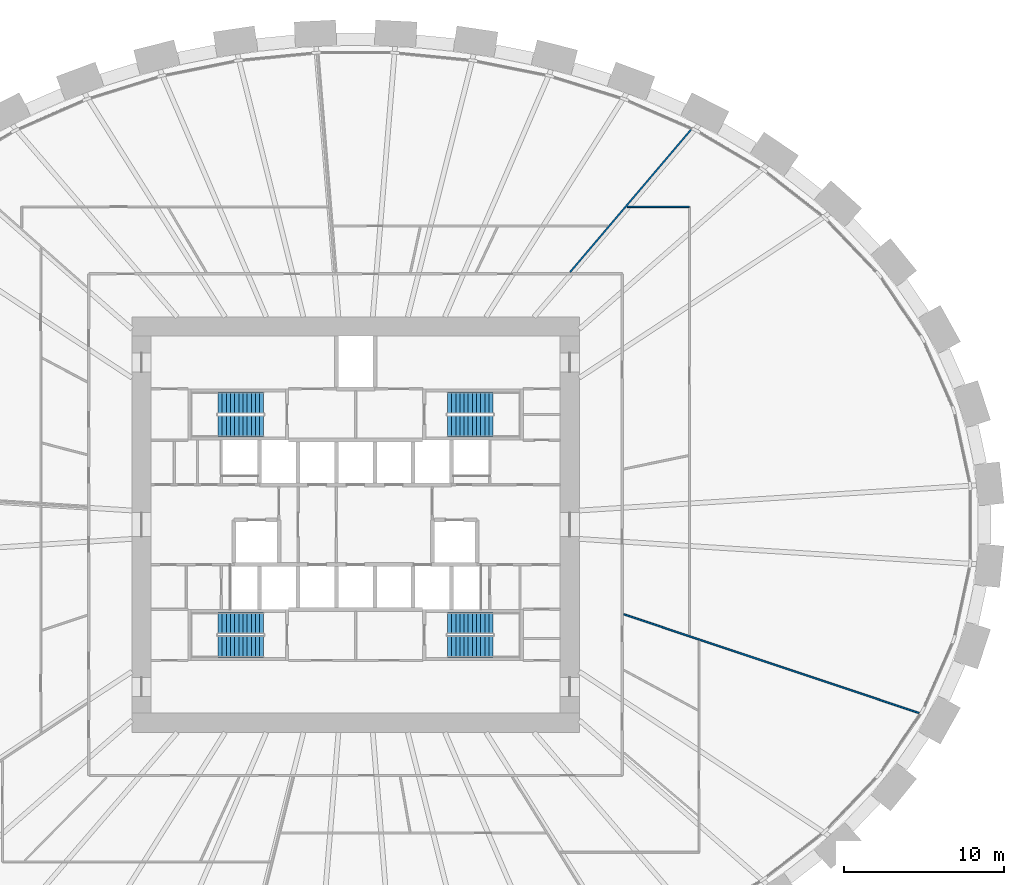
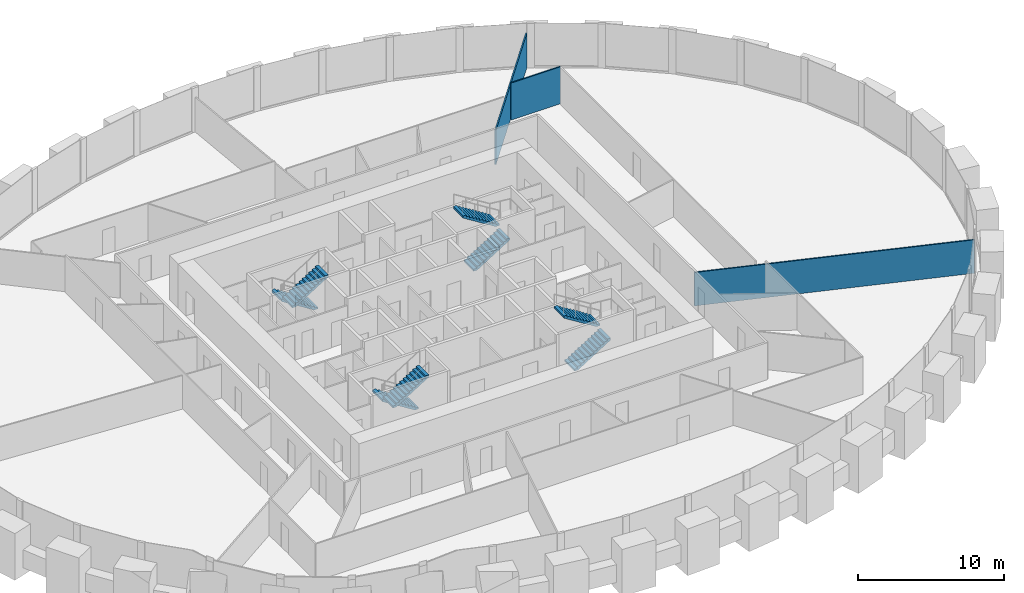
# One storey, part 10 of 11: 8 stair flights, 3 walls, 4 elements without a shape of their own.
"""IFC4 building model written with IfcOpenShell, lengths in metres."""

from ifc_helpers import new_model, si_unit, direction, frame, frame_2d, origin, place, context, subcontext, project, spatial, polyline, rectangle, outline, extrude, source, transform, mapped, material, layer, layer_set, type_object, element, aggregate, save


model = new_model("IFC4")

# Units and contexts
model_context = context("Model", 3, precision=1e-05, world=origin(), true_north=direction((0.0, 1.0)))
body_context = subcontext(model_context, "Body", "Model", "MODEL_VIEW")
ifc_project = project(units=[si_unit("LENGTHUNIT", "METRE"), si_unit("AREAUNIT", "SQUARE_METRE"), si_unit("VOLUMEUNIT", "CUBIC_METRE"), si_unit("PLANEANGLEUNIT", "RADIAN"), si_unit("MASSUNIT", "GRAM", prefix="KILO")], contexts=[model_context])

# Site, building, storey
site_placement = place(None, origin())
site = spatial("IfcSite", under=ifc_project, at=site_placement, CompositionType="ELEMENT")
building_placement = place(site_placement, origin())
building = spatial("IfcBuilding", under=site, at=building_placement, Name="Embergate Tower", CompositionType="ELEMENT")
storey_placement = place(building_placement, frame((0.0, 0.0, 41.89990234375)))
storey = spatial("IfcBuildingStorey", under=building, at=storey_placement, Name="L06", CompositionType="ELEMENT", Elevation=41.89990234375)

# Walls
ifc_material_1 = material(Name="Partition dry-lined 100")
ifc_layer_1 = layer(ifc_material_1, 0.10009765625)
ifc_layer_set_1 = layer_set([ifc_layer_1], Name="Partition dry-lined 100")
wall_type_1 = type_object("IfcWallType", Name="Partition dry-lined 100", PredefinedType="PARTITIONING", material=ifc_layer_set_1)
shared_shape_1 = source(origin(), body_context, "Body", "SweptSolid", [
    extrude(rectangle(XDim=3.89599609375, YDim=0.10009765625, at=frame_2d((1.947998046875, 0.0))), origin(), (0.0, 0.0, 1.0), 3.10009765625),
])
wall_1_placement = place(storey_placement, frame((17.00390625, 19.89990234375, 0.0), z_axis=(0.0, 0.0, 1.0), x_axis=(1.0, 0.0, 0.0)))
element("IfcWall", 1, at=wall_1_placement, inside=storey, type_object=wall_type_1, Name="IP-1 wall", PredefinedType="PARTITIONING", context=body_context, shape_type="MappedRepresentation", body=[
    mapped(shared_shape_1, transform((0.0, 0.0, 0.0))),
])
shared_shape_2 = source(origin(), body_context, "Body", "SweptSolid", [
    extrude(rectangle(XDim=19.5888671875, YDim=0.10009765625, at=frame_2d((9.79443359375, 0.0))), origin(), (0.0, 0.0, 1.0), 2.800048828125),
])
wall_2_placement = place(storey_placement, frame((35.3701171875, -11.818115234375, 0.0), z_axis=(0.0, 0.0, 1.0), x_axis=(-0.9484537247, 0.316915654556, 0.0)))
element("IfcWall", 2, at=wall_2_placement, inside=storey, type_object=wall_type_1, Name="IP-1 wall", PredefinedType="PARTITIONING", context=body_context, shape_type="MappedRepresentation", body=[
    mapped(shared_shape_2, transform((0.0, 0.0, 0.0))),
])
ifc_material_2 = material(Name="Partition dry-lined 100 wet")
ifc_layer_2 = layer(ifc_material_2, 0.10009765625)
ifc_layer_set_2 = layer_set([ifc_layer_2], Name="Partition dry-lined 100 wet")
wall_type_2 = type_object("IfcWallType", Name="Partition dry-lined 100 wet", PredefinedType="PLUMBINGWALL", material=ifc_layer_set_2)
shared_shape_3 = source(origin(), body_context, "Body", "SweptSolid", [
    extrude(rectangle(XDim=11.78857421875, YDim=0.10009765625, at=frame_2d((5.894287109375, 0.0))), origin(), (0.0, 0.0, 1.0), 2.900146484375),
])
wall_3_placement = place(storey_placement, frame((21.051025390625, 24.79296875, 0.0), z_axis=(0.0, 0.0, 1.0), x_axis=(-0.647252165833, -0.762275956478, 0.0)))
element("IfcWall", 3, at=wall_3_placement, inside=storey, type_object=wall_type_2, Name="IP-1 wall", PredefinedType="PLUMBINGWALL", context=body_context, shape_type="MappedRepresentation", body=[
    mapped(shared_shape_3, transform((0.0, 0.0, 0.0))),
])

# Stair, stair flights
ifc_material_3 = material(Name="Exit stair")
stair_type = type_object("IfcStairType", Name="Exit stair", PredefinedType="HALF_TURN_STAIR", material=ifc_material_3)
stair_1_placement = place(storey_placement, origin())
stair_1 = element("IfcStair", 4, at=stair_1_placement, inside=storey, type_object=stair_type, Name="L06 Exit stair 1", PredefinedType="HALF_TURN_STAIR")
ifc_material_4 = material(Name="Concrete C40", Category="concrete")
stair_flight_type = type_object("IfcStairFlightType", Name="Stair flight reinforced concrete", PredefinedType="STRAIGHT", material=ifc_material_4)
shared_shape_4 = source(origin(), body_context, "Body", "SweptSolid", [
    extrude(outline(polyline([(0.0, 0.0), (0.0, 0.16259765625), (0.260009765625, 0.16259765625), (0.260009765625, 0.324951171875), (0.52001953125, 0.324951171875), (0.52001953125, 0.487548828125), (0.780029296875, 0.487548828125), (0.780029296875, 0.64990234375), (1.0400390625, 0.64990234375), (1.0400390625, 0.8125), (1.300048828125, 0.8125), (1.300048828125, 0.97509765625), (1.56005859375, 0.97509765625), (1.56005859375, 1.137451171875), (1.820068359375, 1.137451171875), (1.820068359375, 1.300048828125), (2.080078125, 1.300048828125), (2.080078125, 1.46240234375), (2.340087890625, 1.46240234375), (2.340087890625, 1.625), (2.60009765625, 1.625), (2.60009765625, 1.78759765625), (2.860107421875, 1.78759765625), (2.860107421875, 1.949951171875), (2.860107421875, 1.61083984375), (0.28271484375, 0.0), (0.0, 0.0)])), frame((0.0, 0.675048828125, 0.0), z_axis=(0.0, -1.0, 0.0), x_axis=(1.0, 0.0, 0.0)), (0.0, 0.0, 1.0), 1.35009765625),
])
stair_flight_1_placement = place(storey_placement, frame((-5.75, 7.625, 0.0), z_axis=(0.0, 0.0, 1.0), x_axis=(-1.0, 0.0, 0.0)))
stair_flight_1 = element("IfcStairFlight", 5, at=stair_flight_1_placement, type_object=stair_flight_type, Name="ST1 flight 1", NumberOfRisers=12, NumberOfTreads=11, PredefinedType="STRAIGHT", RiserHeight=0.1625, TreadLength=0.26, context=body_context, shape_type="MappedRepresentation", body=[
    mapped(shared_shape_4, transform((0.0, 0.0, 0.0))),
])
stair_flight_2_placement = place(storey_placement, frame((-8.610107421875, 6.175048828125, 1.9501953125), z_axis=(0.0, 0.0, 1.0), x_axis=(1.0, 0.0, 0.0)))
stair_flight_2 = element("IfcStairFlight", 6, at=stair_flight_2_placement, type_object=stair_flight_type, Name="ST1 flight 2", NumberOfRisers=12, NumberOfTreads=11, PredefinedType="STRAIGHT", RiserHeight=0.1625, TreadLength=0.26, context=body_context, shape_type="MappedRepresentation", body=[
    mapped(shared_shape_4, transform((0.0, 0.0, 0.0))),
])
aggregate(stair_1, [stair_flight_1, stair_flight_2])

stair_2_placement = place(storey_placement, origin())
stair_2 = element("IfcStair", 7, at=stair_2_placement, inside=storey, type_object=stair_type, Name="L06 Exit stair 2", PredefinedType="HALF_TURN_STAIR")
stair_flight_3_placement = place(storey_placement, frame((5.75, 6.175048828125, 0.0), z_axis=(0.0, 0.0, 1.0), x_axis=(1.0, 0.0, 0.0)))
stair_flight_3 = element("IfcStairFlight", 8, at=stair_flight_3_placement, type_object=stair_flight_type, Name="ST2 flight 1", NumberOfRisers=12, NumberOfTreads=11, PredefinedType="STRAIGHT", RiserHeight=0.1625, TreadLength=0.26, context=body_context, shape_type="MappedRepresentation", body=[
    mapped(shared_shape_4, transform((0.0, 0.0, 0.0))),
])
stair_flight_4_placement = place(storey_placement, frame((8.610107421875, 7.625, 1.9501953125), z_axis=(0.0, 0.0, 1.0), x_axis=(-1.0, 0.0, 0.0)))
stair_flight_4 = element("IfcStairFlight", 9, at=stair_flight_4_placement, type_object=stair_flight_type, Name="ST2 flight 2", NumberOfRisers=12, NumberOfTreads=11, PredefinedType="STRAIGHT", RiserHeight=0.1625, TreadLength=0.26, context=body_context, shape_type="MappedRepresentation", body=[
    mapped(shared_shape_4, transform((0.0, 0.0, 0.0))),
])
aggregate(stair_2, [stair_flight_3, stair_flight_4])

stair_3_placement = place(storey_placement, origin())
stair_3 = element("IfcStair", 10, at=stair_3_placement, inside=storey, type_object=stair_type, Name="L06 Exit stair 3", PredefinedType="HALF_TURN_STAIR")
stair_flight_5_placement = place(storey_placement, frame((-5.75, -6.175048828125, 0.0), z_axis=(0.0, 0.0, 1.0), x_axis=(-1.0, 0.0, 0.0)))
stair_flight_5 = element("IfcStairFlight", 11, at=stair_flight_5_placement, type_object=stair_flight_type, Name="ST3 flight 1", NumberOfRisers=12, NumberOfTreads=11, PredefinedType="STRAIGHT", RiserHeight=0.1625, TreadLength=0.26, context=body_context, shape_type="MappedRepresentation", body=[
    mapped(shared_shape_4, transform((0.0, 0.0, 0.0))),
])
stair_flight_6_placement = place(storey_placement, frame((-8.610107421875, -7.625, 1.9501953125), z_axis=(0.0, 0.0, 1.0), x_axis=(1.0, 0.0, 0.0)))
stair_flight_6 = element("IfcStairFlight", 12, at=stair_flight_6_placement, type_object=stair_flight_type, Name="ST3 flight 2", NumberOfRisers=12, NumberOfTreads=11, PredefinedType="STRAIGHT", RiserHeight=0.1625, TreadLength=0.26, context=body_context, shape_type="MappedRepresentation", body=[
    mapped(shared_shape_4, transform((0.0, 0.0, 0.0))),
])
aggregate(stair_3, [stair_flight_5, stair_flight_6])

stair_4_placement = place(storey_placement, origin())
stair_4 = element("IfcStair", 13, at=stair_4_placement, inside=storey, type_object=stair_type, Name="L06 Exit stair 4", PredefinedType="HALF_TURN_STAIR")
stair_flight_7_placement = place(storey_placement, frame((5.75, -7.625, 0.0), z_axis=(0.0, 0.0, 1.0), x_axis=(1.0, 0.0, 0.0)))
stair_flight_7 = element("IfcStairFlight", 14, at=stair_flight_7_placement, type_object=stair_flight_type, Name="ST4 flight 1", NumberOfRisers=12, NumberOfTreads=11, PredefinedType="STRAIGHT", RiserHeight=0.1625, TreadLength=0.26, context=body_context, shape_type="MappedRepresentation", body=[
    mapped(shared_shape_4, transform((0.0, 0.0, 0.0))),
])
stair_flight_8_placement = place(storey_placement, frame((8.610107421875, -6.175048828125, 1.9501953125), z_axis=(0.0, 0.0, 1.0), x_axis=(-1.0, 0.0, 0.0)))
stair_flight_8 = element("IfcStairFlight", 15, at=stair_flight_8_placement, type_object=stair_flight_type, Name="ST4 flight 2", NumberOfRisers=12, NumberOfTreads=11, PredefinedType="STRAIGHT", RiserHeight=0.1625, TreadLength=0.26, context=body_context, shape_type="MappedRepresentation", body=[
    mapped(shared_shape_4, transform((0.0, 0.0, 0.0))),
])
aggregate(stair_4, [stair_flight_7, stair_flight_8])

save(model, "model.ifc")
